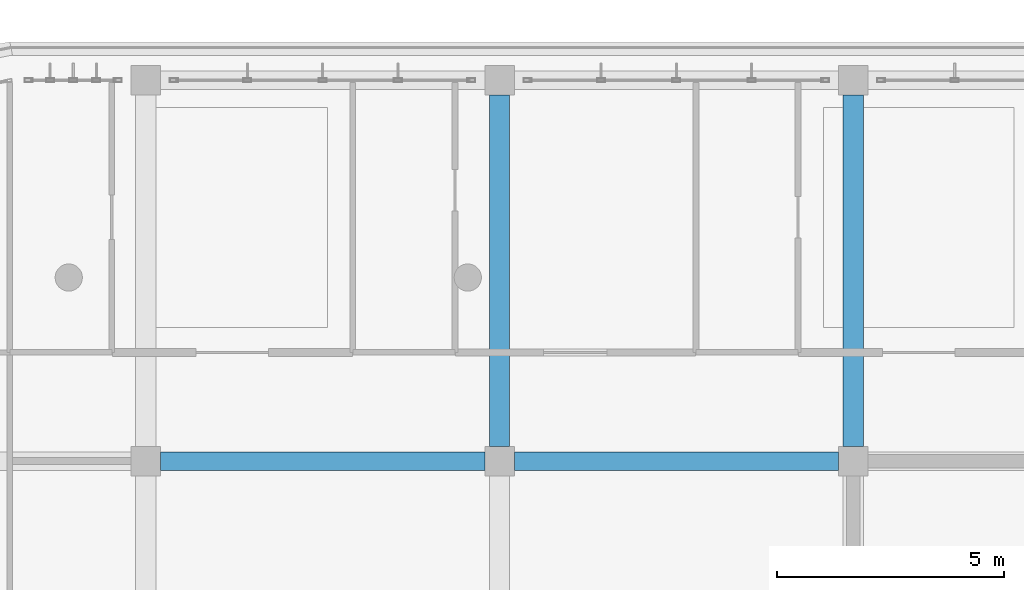
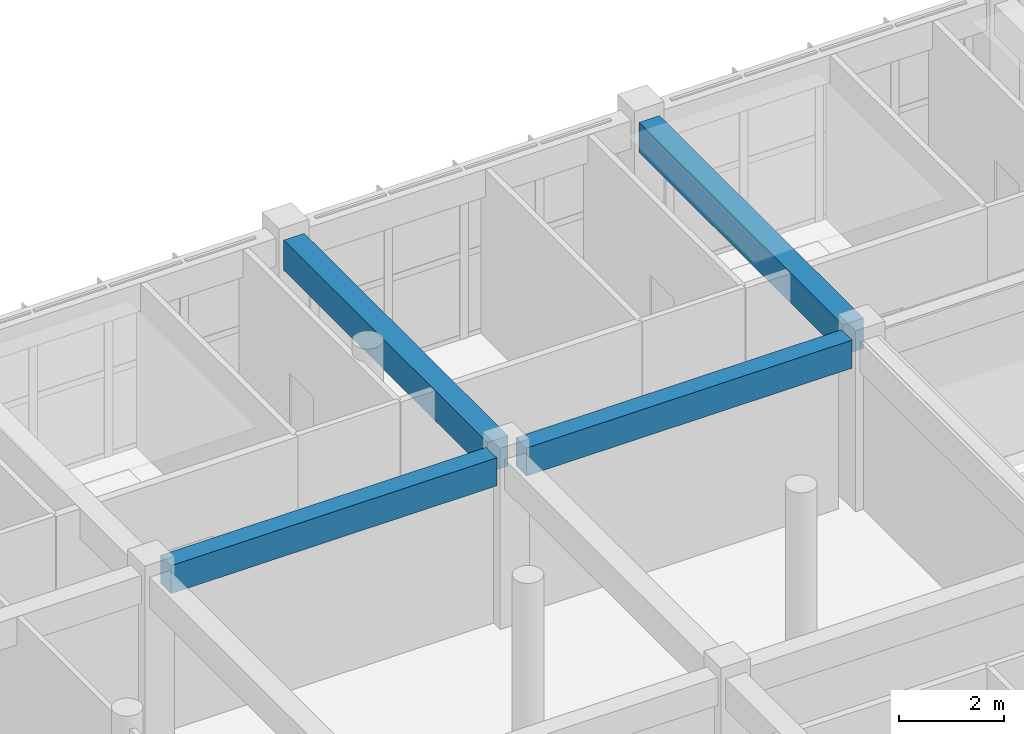
# One storey, part 10 of 63: 4 beams.
"""IFC4 building model written with IfcOpenShell, lengths in metres."""

from ifc_helpers import new_model, si_unit, direction, frame, origin, origin_2d, place, context, subcontext, project, spatial, rectangle, extrude, material, material_profile, profile_set, type_object, element, save


model = new_model("IFC4")

# Units and contexts
model_context = context("Model", 3, precision=1e-05, world=origin(), true_north=direction((0.0, 1.0)))
body_context = subcontext(model_context, "Body", "Model", "MODEL_VIEW")
ifc_project = project(units=[si_unit("LENGTHUNIT", "METRE"), si_unit("AREAUNIT", "SQUARE_METRE"), si_unit("VOLUMEUNIT", "CUBIC_METRE"), si_unit("PLANEANGLEUNIT", "RADIAN"), si_unit("MASSUNIT", "GRAM", prefix="KILO")], contexts=[model_context])

# Site, building, storey
site_placement = place(None, origin())
site = spatial("IfcSite", under=ifc_project, at=site_placement, CompositionType="ELEMENT")
building_placement = place(site_placement, origin())
building = spatial("IfcBuilding", under=site, at=building_placement, Name="Zizhar Promenade General Hospital", CompositionType="ELEMENT")
storey_placement = place(building_placement, frame((0.0, 0.0, 18.0)))
storey = spatial("IfcBuildingStorey", under=building, at=storey_placement, Name="L04", CompositionType="ELEMENT", Elevation=18.0)

# Beams
ifc_material_1 = material(Name="Concrete C35/45", Category="concrete")
ifc_material_profile_1 = material_profile(ifc_material_1, rectangle(XDim=0.39990234375, YDim=0.64990234375, at=origin_2d()))
ifc_profile_set_1 = profile_set([ifc_material_profile_1], Name="Concrete C35/45")
beam_type_1 = type_object("IfcBeamType", Name="BM-RC-400x650", PredefinedType="BEAM", material=ifc_profile_set_1)
for number, where, z_axis, x_axis, name in (
    (1, (31.52490234375, 16.800048828125, 3.5849609375), (1.0, 0.0, 0.0), (0.0, 1.0, 0.0), "Grid Beam X L04 (4-2)"),
    (2, (39.324951171875, 16.800048828125, 3.5849609375), (1.0, 0.0, 0.0), (0.0, 1.0, 0.0), "Grid Beam X L04 (5-2)"),
):
    element("IfcBeam", number, at=place(storey_placement, frame(where, z_axis=z_axis, x_axis=x_axis)), inside=storey, type_object=beam_type_1, Name=name, PredefinedType="BEAM", context=body_context, shape_type="SweptSolid", body=[
        extrude(rectangle(XDim=0.39990234375, YDim=0.64990234375, at=origin_2d()), origin(), (0.0, 0.0, 1.0), 7.150146484375),
    ])
ifc_material_2 = material(Name="Concrete C35/45", Category="concrete")
ifc_material_profile_2 = material_profile(ifc_material_2, rectangle(XDim=0.449951171875, YDim=0.699951171875, at=origin_2d()))
ifc_profile_set_2 = profile_set([ifc_material_profile_2], Name="Concrete C35/45")
beam_type_2 = type_object("IfcBeamType", Name="BM-RC-450x700", PredefinedType="BEAM", material=ifc_profile_set_2)
for number, where, z_axis, x_axis, name in (
    (3, (39.0, 17.125, 3.56005859375), (0.0, 1.0, 0.0), (-1.0, 0.0, 0.0), "Grid Beam Y L04 (5-2)"),
    (4, (46.800048828125, 17.125, 3.56005859375), (0.0, 1.0, 0.0), (-1.0, 0.0, 0.0), "Grid Beam Y L04 (6-2)"),
):
    element("IfcBeam", number, at=place(storey_placement, frame(where, z_axis=z_axis, x_axis=x_axis)), inside=storey, type_object=beam_type_2, Name=name, PredefinedType="BEAM", context=body_context, shape_type="SweptSolid", body=[
        extrude(rectangle(XDim=0.449951171875, YDim=0.699951171875, at=origin_2d()), origin(), (0.0, 0.0, 1.0), 7.75),
    ])

save(model, "model.ifc")
